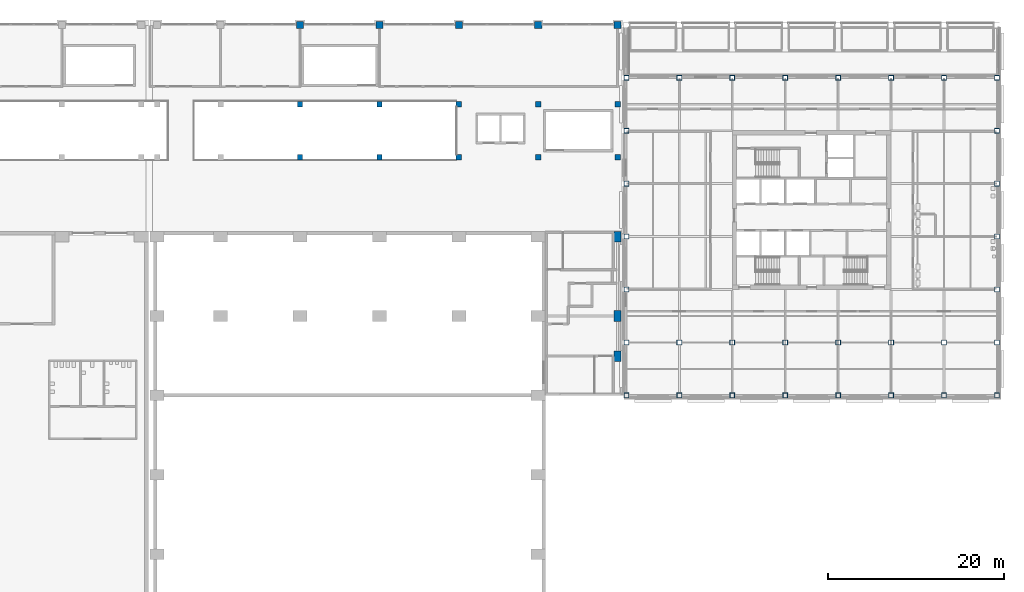
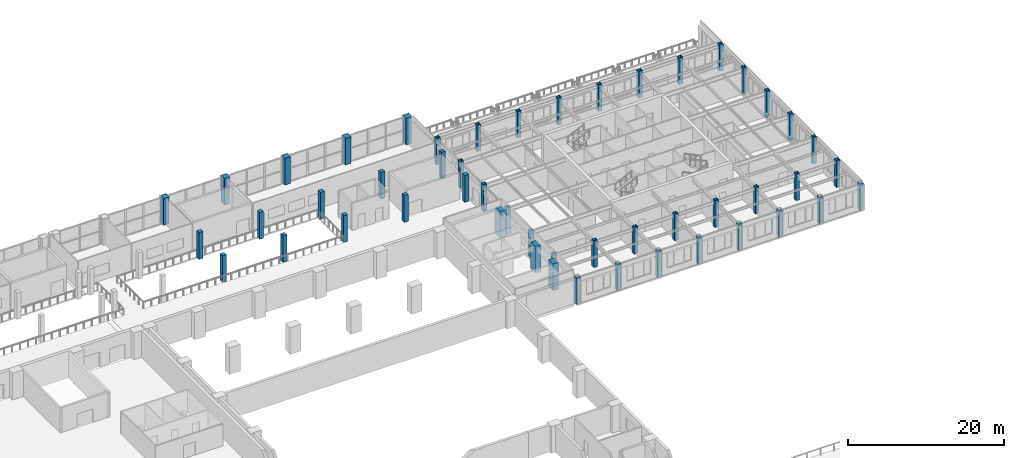
# One storey, part 2 of 39: 50 columns.
"""IFC4 building model written with IfcOpenShell, lengths in metres."""

from ifc_helpers import new_model, si_unit, direction, frame, origin, origin_2d, place, context, subcontext, project, spatial, rectangle, hollow_rectangle, extrude, material, material_profile, profile_set, type_object, element, save


model = new_model("IFC4")

# Units and contexts
model_context = context("Model", 3, precision=1e-05, world=origin(), true_north=direction((0.0, 1.0)))
body_context = subcontext(model_context, "Body", "Model", "MODEL_VIEW")
ifc_project = project(units=[si_unit("LENGTHUNIT", "METRE"), si_unit("AREAUNIT", "SQUARE_METRE"), si_unit("VOLUMEUNIT", "CUBIC_METRE"), si_unit("PLANEANGLEUNIT", "RADIAN"), si_unit("MASSUNIT", "GRAM", prefix="KILO")], contexts=[model_context])

# Site, building, storey
site_placement = place(None, origin())
site = spatial("IfcSite", under=ifc_project, at=site_placement, CompositionType="ELEMENT")
building_placement = place(site_placement, origin())
building = spatial("IfcBuilding", under=site, at=building_placement, Name="Aravalli Gate Trade Fair Centre", CompositionType="ELEMENT")
storey_placement = place(building_placement, frame((0.0, 0.0, 15.0)))
storey = spatial("IfcBuildingStorey", under=building, at=storey_placement, Name="L03", CompositionType="ELEMENT", Elevation=15.0)

# Columns
ifc_material_1 = material(Name="Concrete M50", Category="concrete")
ifc_material_profile_1 = material_profile(ifc_material_1, rectangle(XDim=0.800048828125, YDim=1.199951171875, at=origin_2d()), Name="Link column 800 x 1200")
ifc_profile_set_1 = profile_set([ifc_material_profile_1], Name="Concrete M50")
column_type_1 = type_object("IfcColumnType", Name="Link column 800 x 1200", PredefinedType="COLUMN", material=ifc_profile_set_1)
for number, where, z_axis, x_axis, name in (
    (1, (159.0, 95.449951171875, 0.0), (0.0, 0.0, 1.0), (1.0, 0.0, 0.0), "Link column EF L03"),
    (2, (159.0, 100.0, 0.0), (0.0, 0.0, 1.0), (1.0, 0.0, 0.0), "Link column EG L03"),
    (3, (159.0, 109.0, 0.0), (0.0, 0.0, 1.0), (1.0, 0.0, 0.0), "Link column EH L03"),
):
    element("IfcColumn", number, at=place(storey_placement, frame(where, z_axis=z_axis, x_axis=x_axis)), inside=storey, type_object=column_type_1, Name=name, PredefinedType="COLUMN", context=body_context, shape_type="SweptSolid", body=[
        extrude(rectangle(XDim=0.800048828125, YDim=1.199951171875, at=origin_2d()), origin(), (0.0, 0.0, 1.0), 4.199951171875),
    ])
ifc_material_2 = material(Name="Concrete M45", Category="concrete")
ifc_material_profile_2 = material_profile(ifc_material_2, rectangle(XDim=0.60009765625, YDim=0.60009765625, at=origin_2d()), Name="RC column 600 x 600")
ifc_profile_set_2 = profile_set([ifc_material_profile_2], Name="Concrete M45")
column_type_2 = type_object("IfcColumnType", Name="RC column 600 x 600", PredefinedType="COLUMN", material=ifc_profile_set_2)
for number, where, z_axis, x_axis, name in (
    (4, (123.0, 118.0, 0.0), (0.0, 0.0, 1.0), (1.0, 0.0, 0.0), "Concourse column S14 L03"),
    (5, (123.0, 124.0, 0.0), (0.0, 0.0, 1.0), (1.0, 0.0, 0.0), "Concourse column N14 L03"),
    (6, (132.0, 118.0, 0.0), (0.0, 0.0, 1.0), (1.0, 0.0, 0.0), "Concourse column S15 L03"),
    (7, (132.0, 124.0, 0.0), (0.0, 0.0, 1.0), (1.0, 0.0, 0.0), "Concourse column N15 L03"),
    (8, (141.0, 118.0, 0.0), (0.0, 0.0, 1.0), (1.0, 0.0, 0.0), "Concourse column S16 L03"),
    (9, (141.0, 124.0, 0.0), (0.0, 0.0, 1.0), (1.0, 0.0, 0.0), "Concourse column N16 L03"),
    (10, (150.0, 118.0, 0.0), (0.0, 0.0, 1.0), (1.0, 0.0, 0.0), "Concourse column S17 L03"),
    (11, (150.0, 124.0, 0.0), (0.0, 0.0, 1.0), (1.0, 0.0, 0.0), "Concourse column N17 L03"),
    (12, (159.0, 118.0, 0.0), (0.0, 0.0, 1.0), (1.0, 0.0, 0.0), "Concourse column SE L03"),
    (13, (159.0, 124.0, 0.0), (0.0, 0.0, 1.0), (1.0, 0.0, 0.0), "Concourse column NE L03"),
):
    element("IfcColumn", number, at=place(storey_placement, frame(where, z_axis=z_axis, x_axis=x_axis)), inside=storey, type_object=column_type_2, Name=name, PredefinedType="COLUMN", context=body_context, shape_type="SweptSolid", body=[
        extrude(rectangle(XDim=0.60009765625, YDim=0.60009765625, at=origin_2d()), origin(), (0.0, 0.0, 1.0), 4.199951171875),
    ])
ifc_material_profile_3 = material_profile(ifc_material_2, rectangle(XDim=0.800048828125, YDim=0.800048828125, at=origin_2d()), Name="RC column 800 x 800")
ifc_profile_set_3 = profile_set([ifc_material_profile_3], Name="Concrete M45")
column_type_3 = type_object("IfcColumnType", Name="RC column 800 x 800", PredefinedType="COLUMN", material=ifc_profile_set_3)
for number, where, z_axis, x_axis, name in (
    (14, (123.0, 133.0, 0.0), (0.0, 0.0, 1.0), (1.0, 0.0, 0.0), "Concourse column K14 L03"),
    (15, (132.0, 133.0, 0.0), (0.0, 0.0, 1.0), (1.0, 0.0, 0.0), "Concourse column K15 L03"),
    (16, (141.0, 133.0, 0.0), (0.0, 0.0, 1.0), (1.0, 0.0, 0.0), "Concourse column K16 L03"),
    (17, (150.0, 133.0, 0.0), (0.0, 0.0, 1.0), (1.0, 0.0, 0.0), "Concourse column K17 L03"),
    (18, (159.0, 133.0, 0.0), (0.0, 0.0, 1.0), (1.0, 0.0, 0.0), "Concourse column KE L03"),
):
    element("IfcColumn", number, at=place(storey_placement, frame(where, z_axis=z_axis, x_axis=x_axis)), inside=storey, type_object=column_type_3, Name=name, PredefinedType="COLUMN", context=body_context, shape_type="SweptSolid", body=[
        extrude(rectangle(XDim=0.800048828125, YDim=0.800048828125, at=origin_2d()), origin(), (0.0, 0.0, 1.0), 4.199951171875),
    ])
ifc_material_3 = material(Name="Steel E350", Category="steel")
ifc_material_profile_4 = material_profile(ifc_material_3, hollow_rectangle(XDim=0.550048828125, YDim=0.550048828125, WallThickness=0.031982421875, at=origin_2d()), Name="BOX 550x550x32")
ifc_profile_set_4 = profile_set([ifc_material_profile_4], Name="Steel E350")
column_type_4 = type_object("IfcColumnType", Name="Wing box column 550 x 550 x 32", PredefinedType="COLUMN", material=ifc_profile_set_4)
for number, where, z_axis, x_axis, name in (
    (19, (160.0, 91.0, 0.0), (0.0, 0.0, 1.0), (1.0, 0.0, 0.0), "Wing column 18/F L03"),
    (20, (160.0, 97.0, 0.0), (0.0, 0.0, 1.0), (1.0, 0.0, 0.0), "Wing column 18/T1 L03"),
    (21, (160.0, 103.0, 0.0), (0.0, 0.0, 1.0), (1.0, 0.0, 0.0), "Wing column 18/T2 L03"),
    (22, (160.0, 109.0, 0.0), (0.0, 0.0, 1.0), (1.0, 0.0, 0.0), "Wing column 18/H L03"),
    (23, (160.0, 115.0, 0.0), (0.0, 0.0, 1.0), (1.0, 0.0, 0.0), "Wing column 18/T3 L03"),
    (24, (160.0, 121.0, 0.0), (0.0, 0.0, 1.0), (1.0, 0.0, 0.0), "Wing column 18/J L03"),
    (25, (160.0, 127.0, 0.0), (0.0, 0.0, 1.0), (1.0, 0.0, 0.0), "Wing column 18/T4 L03"),
    (26, (166.0, 91.0, 0.0), (0.0, 0.0, 1.0), (1.0, 0.0, 0.0), "Wing column 19/F L03"),
    (27, (172.0, 91.0, 0.0), (0.0, 0.0, 1.0), (1.0, 0.0, 0.0), "Wing column 20/F L03"),
    (28, (178.0, 91.0, 0.0), (0.0, 0.0, 1.0), (1.0, 0.0, 0.0), "Wing column 21/F L03"),
    (29, (184.0, 91.0, 0.0), (0.0, 0.0, 1.0), (1.0, 0.0, 0.0), "Wing column 22/F L03"),
    (30, (190.0, 91.0, 0.0), (0.0, 0.0, 1.0), (1.0, 0.0, 0.0), "Wing column 23/F L03"),
    (31, (196.0, 91.0, 0.0), (0.0, 0.0, 1.0), (1.0, 0.0, 0.0), "Wing column 24/F L03"),
    (32, (202.0, 91.0, 0.0), (0.0, 0.0, 1.0), (1.0, 0.0, 0.0), "Wing column 25/F L03"),
    (33, (202.0, 97.0, 0.0), (0.0, 0.0, 1.0), (1.0, 0.0, 0.0), "Wing column 25/T1 L03"),
    (34, (202.0, 103.0, 0.0), (0.0, 0.0, 1.0), (1.0, 0.0, 0.0), "Wing column 25/T2 L03"),
    (35, (202.0, 109.0, 0.0), (0.0, 0.0, 1.0), (1.0, 0.0, 0.0), "Wing column 25/H L03"),
    (36, (202.0, 115.0, 0.0), (0.0, 0.0, 1.0), (1.0, 0.0, 0.0), "Wing column 25/T3 L03"),
    (37, (202.0, 121.0, 0.0), (0.0, 0.0, 1.0), (1.0, 0.0, 0.0), "Wing column 25/J L03"),
    (38, (202.0, 127.0, 0.0), (0.0, 0.0, 1.0), (1.0, 0.0, 0.0), "Wing column 25/T4 L03"),
    (39, (166.0, 97.0, 0.0), (0.0, 0.0, 1.0), (1.0, 0.0, 0.0), "Wing column 19/T1 L03"),
    (40, (172.0, 97.0, 0.0), (0.0, 0.0, 1.0), (1.0, 0.0, 0.0), "Wing column 20/T1 L03"),
    (41, (178.0, 97.0, 0.0), (0.0, 0.0, 1.0), (1.0, 0.0, 0.0), "Wing column 21/T1 L03"),
    (42, (184.0, 97.0, 0.0), (0.0, 0.0, 1.0), (1.0, 0.0, 0.0), "Wing column 22/T1 L03"),
    (43, (190.0, 97.0, 0.0), (0.0, 0.0, 1.0), (1.0, 0.0, 0.0), "Wing column 23/T1 L03"),
    (44, (196.0, 97.0, 0.0), (0.0, 0.0, 1.0), (1.0, 0.0, 0.0), "Wing column 24/T1 L03"),
    (45, (166.0, 127.0, 0.0), (0.0, 0.0, 1.0), (1.0, 0.0, 0.0), "Wing column 19/T4 L03"),
    (46, (172.0, 127.0, 0.0), (0.0, 0.0, 1.0), (1.0, 0.0, 0.0), "Wing column 20/T4 L03"),
    (47, (178.0, 127.0, 0.0), (0.0, 0.0, 1.0), (1.0, 0.0, 0.0), "Wing column 21/T4 L03"),
    (48, (184.0, 127.0, 0.0), (0.0, 0.0, 1.0), (1.0, 0.0, 0.0), "Wing column 22/T4 L03"),
    (49, (190.0, 127.0, 0.0), (0.0, 0.0, 1.0), (1.0, 0.0, 0.0), "Wing column 23/T4 L03"),
    (50, (196.0, 127.0, 0.0), (0.0, 0.0, 1.0), (1.0, 0.0, 0.0), "Wing column 24/T4 L03"),
):
    element("IfcColumn", number, at=place(storey_placement, frame(where, z_axis=z_axis, x_axis=x_axis)), inside=storey, type_object=column_type_4, Name=name, PredefinedType="COLUMN", context=body_context, shape_type="SweptSolid", body=[
        extrude(hollow_rectangle(XDim=0.550048828125, YDim=0.550048828125, WallThickness=0.031982421875, at=origin_2d()), origin(), (0.0, 0.0, 1.0), 4.199951171875),
    ])

save(model, "model.ifc")
